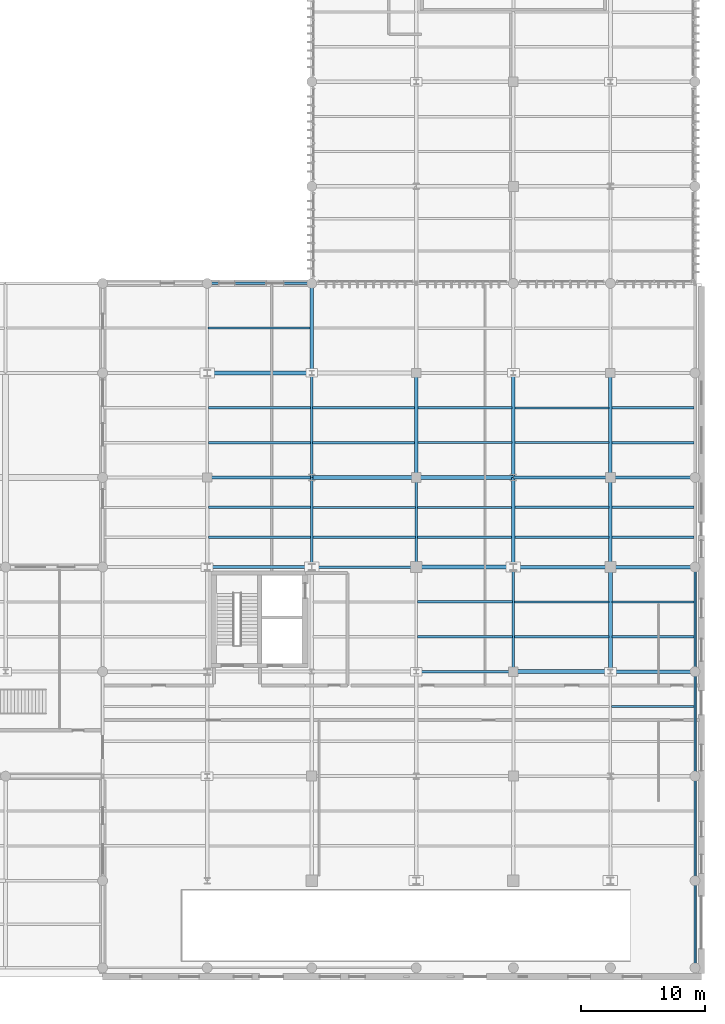
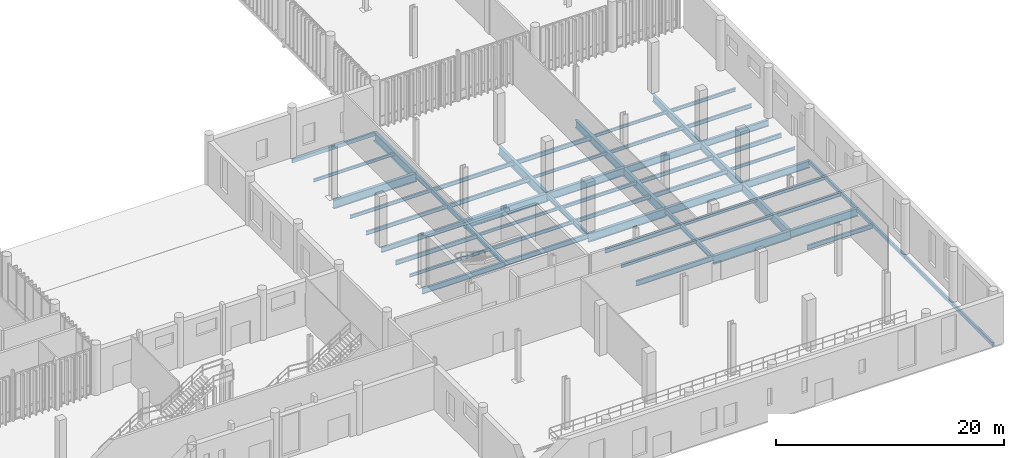
# One storey, part 55 of 112: 58 beams.
"""IFC4 building model written with IfcOpenShell, lengths in metres."""

import ifcopenshell
import ifcopenshell.guid

model = None  # the IFC model being written
_history = None  # IfcOwnerHistory: only IFC2X3 demands one
_inside = {}  # id of a spatial element -> (the spatial element, [elements in it])
_under = {}  # id of a project, library or spatial element -> (it, [spatial elements below it])
_declared = {}  # id of a project -> (the project, [libraries it declares])
_typed = {}  # id of a type object -> (the type object, [elements of that type])
_made_of = {}  # id of a material, layer set ... -> (it, [elements and type objects made of it])


def new_model(schema):
    """Start an empty IFC model of exactly this schema.

    Asked for "IFC4X3", IfcOpenShell would pick the latest addendum, in which some entities
    have other attributes; the version numbers below select the first issue.
    IFC2X3 requires an IfcOwnerHistory on every rooted entity: one is made here for all.
    """
    global model, _history
    if schema == "IFC4X3":
        model = ifcopenshell.file(schema_version=(4, 3, 0, 0))
    else:
        model = ifcopenshell.file(schema=schema)
    _inside.clear()
    _under.clear()
    _declared.clear()
    _typed.clear()
    _made_of.clear()
    _history = None
    if model.schema == "IFC2X3":
        org = make("IfcOrganization", Name="unknown")
        user = make(
            "IfcPersonAndOrganization",
            ThePerson=make("IfcPerson", FamilyName="unknown"),
            TheOrganization=org,
        )
        app = make(
            "IfcApplication",
            ApplicationDeveloper=org,
            Version="unknown",
            ApplicationFullName="unknown",
            ApplicationIdentifier="unknown",
        )
        _history = make(
            "IfcOwnerHistory",
            OwningUser=user,
            OwningApplication=app,
            ChangeAction="ADDED",
            CreationDate=0,
        )
    return model


def make(cls, **values):
    """One entity of the class cls with the attributes given. An attribute that is None is left unset."""
    return model.create_entity(
        cls, **{name: value for name, value in values.items() if value is not None}
    )


def rooted(cls, **values):
    """An entity with a GlobalId (a new one), such as an element, a storey or a relation."""
    return make(cls, GlobalId=ifcopenshell.guid.new(), OwnerHistory=_history, **values)


def si_unit(unit_type, name, prefix=None):
    """IfcSIUnit, for example si_unit("LENGTHUNIT", "METRE", prefix="MILLI")."""
    return make("IfcSIUnit", UnitType=unit_type, Prefix=prefix, Name=name)


def assignment(units):
    """IfcUnitAssignment: the units of a project."""
    return None if units is None else make("IfcUnitAssignment", Units=units)


def point(xyz):
    """IfcCartesianPoint."""
    return None if xyz is None else make("IfcCartesianPoint", Coordinates=xyz)


def direction(xyz):
    """IfcDirection."""
    return None if xyz is None else make("IfcDirection", DirectionRatios=xyz)


def frame(location, z_axis=None, x_axis=None):
    """IfcAxis2Placement3D, a coordinate frame: its origin and axes. An axis left out is left unset."""
    return make(
        "IfcAxis2Placement3D",
        Location=point(location),
        Axis=direction(z_axis),
        RefDirection=direction(x_axis),
    )


def frame_2d(location, x_axis=None):
    """IfcAxis2Placement2D, a coordinate frame in the plane: its origin and x axis."""
    return make(
        "IfcAxis2Placement2D", Location=point(location), RefDirection=direction(x_axis)
    )


def origin_with_axes():
    """The frame at (0, 0, 0) with the z axis (0, 0, 1) and the x axis (1, 0, 0) written out."""
    return frame((0.0, 0.0, 0.0), z_axis=(0.0, 0.0, 1.0), x_axis=(1.0, 0.0, 0.0))


def origin_2d_with_axis():
    """The frame at (0, 0) in the plane with the x axis (1, 0) written out."""
    return frame_2d((0.0, 0.0), x_axis=(1.0, 0.0))


def place(relative_to, where):
    """IfcLocalPlacement: puts the frame where relative to a parent placement (None: the world)."""
    return make(
        "IfcLocalPlacement", PlacementRelTo=relative_to, RelativePlacement=where
    )


def context(
    kind, dimensions, precision=None, world=None, true_north=None, identifier=None
):
    """IfcGeometricRepresentationContext, for example the 3D "Model" context."""
    return make(
        "IfcGeometricRepresentationContext",
        ContextIdentifier=identifier,
        ContextType=kind,
        CoordinateSpaceDimension=dimensions,
        Precision=precision,
        WorldCoordinateSystem=world,
        TrueNorth=true_north,
    )


def subcontext(parent, identifier, kind, view, scale=None):
    """IfcGeometricRepresentationSubContext, for example "Body" below "Model"."""
    return make(
        "IfcGeometricRepresentationSubContext",
        ContextIdentifier=identifier,
        ContextType=kind,
        ParentContext=parent,
        TargetScale=scale,
        TargetView=view,
    )


def project(units=None, contexts=None):
    """IfcProject with its units and contexts."""
    return rooted(
        "IfcProject",
        Name="project",
        RepresentationContexts=contexts,
        UnitsInContext=assignment(units),
    )


def spatial(cls, under=None, at=None, **own):
    """A site, building, storey or space (cls), placed at a placement, below another one or the project."""
    s = rooted(cls, ObjectPlacement=at, **own)
    if under is not None:
        _under.setdefault(under.id(), (under, []))[1].append(s)
    return s


def profile(cls, at=None, kind="AREA", **sizes):
    """A parametric profile (cls). Its sizes go by their IFC names, for example OverallWidth=200.0."""
    return make(cls, ProfileType=kind, Position=at, **sizes)


def hollow_rectangle(**sizes):
    """IfcRectangleHollowProfileDef."""
    return profile("IfcRectangleHollowProfileDef", **sizes)


def i_section(**sizes):
    """IfcIShapeProfileDef."""
    return profile("IfcIShapeProfileDef", **sizes)


def extrude(swept, where, along, depth):
    """IfcExtrudedAreaSolid: the profile swept, set in the frame where, extruded along a direction by depth."""
    return make(
        "IfcExtrudedAreaSolid",
        SweptArea=swept,
        Position=where,
        ExtrudedDirection=direction(along),
        Depth=depth,
    )


def shape(context_of_items, identifier, shape_type, items):
    """IfcShapeRepresentation: the items that make up one representation, for example the "Body"."""
    return make(
        "IfcShapeRepresentation",
        ContextOfItems=context_of_items,
        RepresentationIdentifier=identifier,
        RepresentationType=shape_type,
        Items=items,
    )


def material(Name=None, Category=None):
    """IfcMaterial."""
    return make("IfcMaterial", Name=Name, Category=Category)


def material_profile(
    of_material, cross_section, Name=None, Category=None, Priority=None
):
    """IfcMaterialProfile: a cross section and its material."""
    return make(
        "IfcMaterialProfile",
        Name=Name,
        Material=of_material,
        Profile=cross_section,
        Priority=Priority,
        Category=Category,
    )


def profile_set(profiles, Name=None, composite=None):
    """IfcMaterialProfileSet."""
    return make(
        "IfcMaterialProfileSet",
        Name=Name,
        MaterialProfiles=profiles,
        CompositeProfile=composite,
    )


def made_of(thing, what):
    """Note that an element or type object is made of a material, layer set ...; save() writes the relation."""
    if what is not None:
        _made_of.setdefault(what.id(), (what, []))[1].append(thing)
    return thing


def type_object(cls, material=None, **own):
    """A type object (cls), such as IfcWallType, which elements share."""
    return made_of(rooted(cls, **own), material)


def element(
    cls,
    number,
    at=None,
    inside=None,
    cuts=None,
    type_object=None,
    material=None,
    context=None,
    identifier="Body",
    shape_type=None,
    held_by="IfcProductDefinitionShape",
    body=None,
    shapes=None,
    **own,
):
    """One element of the class cls, such as IfcWall. Its Tag is "e" and its number.

    at: its placement. inside: the storey or other place that contains it. cuts: it is an
    opening in that element (IfcRelVoidsElement). A single representation is given by context,
    identifier, shape_type and body (its items); several are given by shapes. held_by: the class
    of the entity that holds the representations. save() writes the other relations.
    """
    e = rooted(cls, Tag="e%d" % number, ObjectPlacement=at, **own)
    if body is not None:
        shapes = [shape(context, identifier, shape_type, body)]
    if shapes is not None:
        e.Representation = make(held_by, Representations=shapes)
    if inside is not None:
        _inside.setdefault(inside.id(), (inside, []))[1].append(e)
    if cuts is not None:
        rooted(
            "IfcRelVoidsElement", RelatingBuildingElement=cuts, RelatedOpeningElement=e
        )
    if type_object is not None:
        _typed.setdefault(type_object.id(), (type_object, []))[1].append(e)
    return made_of(e, material)


def aggregate(whole, parts):
    """IfcRelAggregates: a whole, such as a stair, and the parts it consists of."""
    return rooted("IfcRelAggregates", RelatingObject=whole, RelatedObjects=parts)


def save(model, path):
    """Write the relations noted so far, then the file.

    IfcRelAggregates (storeys below a building ...), IfcRelContainedInSpatialStructure (elements
    in a storey), IfcRelDefinesByType, IfcRelAssociatesMaterial and IfcRelDeclares: one each for
    every whole, place, type object, material and project.
    """
    for whole, parts in _under.values():
        aggregate(whole, parts)
    for where, things in _inside.values():
        rooted(
            "IfcRelContainedInSpatialStructure",
            RelatedElements=things,
            RelatingStructure=where,
        )
    for kind, things in _typed.values():
        rooted("IfcRelDefinesByType", RelatedObjects=things, RelatingType=kind)
    for what, things in _made_of.values():
        rooted("IfcRelAssociatesMaterial", RelatedObjects=things, RelatingMaterial=what)
    for by, libraries in _declared.values():
        rooted("IfcRelDeclares", RelatingContext=by, RelatedDefinitions=libraries)
    model.write(path)


model = new_model("IFC4")

# Units and contexts
model_context = context("Model", 3, precision=1e-05, world=origin_with_axes(), true_north=direction((0.0, 1.0)))
body_context = subcontext(model_context, "Body", "Model", "MODEL_VIEW")
ifc_project = project(units=[si_unit("LENGTHUNIT", "METRE"), si_unit("AREAUNIT", "SQUARE_METRE"), si_unit("VOLUMEUNIT", "CUBIC_METRE"), si_unit("PLANEANGLEUNIT", "RADIAN"), si_unit("MASSUNIT", "GRAM", prefix="KILO"), si_unit("THERMODYNAMICTEMPERATUREUNIT", "KELVIN")], contexts=[model_context])

# Site, building, storey
site_placement = place(None, origin_with_axes())
site = spatial("IfcSite", under=ifc_project, at=site_placement, CompositionType="ELEMENT")
building_placement = place(site_placement, origin_with_axes())
building = spatial("IfcBuilding", under=site, at=building_placement, Name="Montbau Bow Law Courts", CompositionType="ELEMENT")
storey_placement = place(building_placement, origin_with_axes())
storey = spatial("IfcBuildingStorey", under=building, at=storey_placement, Name="L00", CompositionType="ELEMENT", Elevation=0.0)

# Beams
ifc_material_1 = material(Name="Steel CSA G40.21 Grade 350W (350 MPa)", Category="steel")
ifc_material_profile_1 = material_profile(ifc_material_1, i_section(OverallWidth=0.306, OverallDepth=0.919, WebThickness=0.0173, FlangeThickness=0.0279, at=origin_2d_with_axis()), Name="W920X253", Category="Main", Priority=0)
ifc_profile_set_1 = profile_set([ifc_material_profile_1], Name="Steel CSA G40.21 Grade 350W (350 MPa)")
beam_type_1 = type_object("IfcBeamType", Name="B-FLR-01", PredefinedType="BEAM", material=ifc_profile_set_1)
for number, where, z_axis, x_axis, name in (
    (1, (154.8, 30.6, -0.8), (1.0, 0.0, 0.0), (0.0, 1.0, 0.0), "BM-L00-S0340:bm2_0343"),
    (2, (147.0, 39.0, -0.8), (1.0, 0.0, 0.0), (0.0, 1.0, 0.0), "BM-L00-S0345:bm2_0348"),
):
    element("IfcBeam", number, at=place(None, frame(where, z_axis=z_axis, x_axis=x_axis)), inside=storey, type_object=beam_type_1, Name=name, PredefinedType="BEAM", context=body_context, shape_type="SweptSolid", body=[
        extrude(i_section(OverallWidth=0.306, OverallDepth=0.919, WebThickness=0.0173, FlangeThickness=0.0279, at=origin_2d_with_axis()), origin_with_axes(), (0.0, 0.0, 1.0), 7.8),
    ])
for number, where, z_axis, x_axis, name in (
    (3, (138.6, 46.2, -0.8), (1.0, 0.0, 0.0), (0.0, 1.0, 0.0), "BM-L00-S0350:bm2_0353"),
    (4, (130.2, 54.6, -0.8), (1.0, 0.0, 0.0), (0.0, 1.0, 0.0), "BM-L00-S0355:bm2_0358"),
):
    element("IfcBeam", number, at=place(None, frame(where, z_axis=z_axis, x_axis=x_axis)), inside=storey, type_object=beam_type_1, Name=name, PredefinedType="BEAM", context=body_context, shape_type="SweptSolid", body=[
        extrude(i_section(OverallWidth=0.306, OverallDepth=0.919, WebThickness=0.0173, FlangeThickness=0.0279, at=origin_2d_with_axis()), origin_with_axes(), (0.0, 0.0, 1.0), 8.4),
    ])
beam_1_placement = place(None, frame((138.6, 54.6, -0.8), z_axis=(0.0, 1.0, 0.0), x_axis=(-1.0, 0.0, 0.0)))
element("IfcBeam", 5, at=beam_1_placement, inside=storey, type_object=beam_type_1, Name="BM-L00-S0377:bm2_0380", PredefinedType="BEAM", context=body_context, shape_type="SweptSolid", body=[
    extrude(i_section(OverallWidth=0.306, OverallDepth=0.919, WebThickness=0.0173, FlangeThickness=0.0279, at=origin_2d_with_axis()), origin_with_axes(), (0.0, 0.0, 1.0), 7.2),
])
beam_2_placement = place(None, frame((147.0, 46.2, -0.8), z_axis=(0.0, 1.0, 0.0), x_axis=(-1.0, 0.0, 0.0)))
element("IfcBeam", 6, at=beam_2_placement, inside=storey, type_object=beam_type_1, Name="BM-L00-S0382:bm2_0385", PredefinedType="BEAM", context=body_context, shape_type="SweptSolid", body=[
    extrude(i_section(OverallWidth=0.306, OverallDepth=0.919, WebThickness=0.0173, FlangeThickness=0.0279, at=origin_2d_with_axis()), origin_with_axes(), (0.0, 0.0, 1.0), 8.4),
])
beam_3_placement = place(None, frame((154.8, 39.0, -0.8), z_axis=(0.0, 1.0, 0.0), x_axis=(-1.0, 0.0, 0.0)))
element("IfcBeam", 7, at=beam_3_placement, inside=storey, type_object=beam_type_1, Name="BM-L00-S0387:bm2_0390", PredefinedType="BEAM", context=body_context, shape_type="SweptSolid", body=[
    extrude(i_section(OverallWidth=0.306, OverallDepth=0.919, WebThickness=0.0173, FlangeThickness=0.0279, at=origin_2d_with_axis()), origin_with_axes(), (0.0, 0.0, 1.0), 7.2),
])
beam_4_placement = place(None, frame((162.6, 30.6, -0.8), z_axis=(0.0, 1.0, 0.0), x_axis=(-1.0, 0.0, 0.0)))
element("IfcBeam", 8, at=beam_4_placement, inside=storey, type_object=beam_type_1, Name="BM-L00-S0392:bm2_0395", PredefinedType="BEAM", context=body_context, shape_type="SweptSolid", body=[
    extrude(i_section(OverallWidth=0.306, OverallDepth=0.919, WebThickness=0.0173, FlangeThickness=0.0279, at=origin_2d_with_axis()), origin_with_axes(), (0.0, 0.0, 1.0), 8.4),
])
ifc_material_profile_2 = material_profile(ifc_material_1, i_section(OverallWidth=0.293, OverallDepth=0.846, WebThickness=0.0154, FlangeThickness=0.0244, at=origin_2d_with_axis()), Name="W840X210", Category="Main", Priority=0)
ifc_profile_set_2 = profile_set([ifc_material_profile_2], Name="Steel CSA G40.21 Grade 350W (350 MPa)")
beam_type_2 = type_object("IfcBeamType", Name="B-FLR-02", PredefinedType="BEAM", material=ifc_profile_set_2)
beam_5_placement = place(None, frame((162.6, 30.6, -0.763), z_axis=(1.0, 0.0, 0.0), x_axis=(0.0, 1.0, 0.0)))
element("IfcBeam", 9, at=beam_5_placement, inside=storey, type_object=beam_type_2, Name="BM-L00-S0341:bm2_0344", PredefinedType="BEAM", context=body_context, shape_type="SweptSolid", body=[
    extrude(i_section(OverallWidth=0.293, OverallDepth=0.846, WebThickness=0.0154, FlangeThickness=0.0244, at=origin_2d_with_axis()), origin_with_axes(), (0.0, 0.0, 1.0), 6.8),
])
for number, where, z_axis, x_axis, name in (
    (10, (154.8, 39.0, -0.763), (1.0, 0.0, 0.0), (0.0, 1.0, 0.0), "BM-L00-S0346:bm2_0349"),
    (11, (147.0, 46.2, -0.763), (1.0, 0.0, 0.0), (0.0, 1.0, 0.0), "BM-L00-S0351:bm2_0354"),
):
    element("IfcBeam", number, at=place(None, frame(where, z_axis=z_axis, x_axis=x_axis)), inside=storey, type_object=beam_type_2, Name=name, PredefinedType="BEAM", context=body_context, shape_type="SweptSolid", body=[
        extrude(i_section(OverallWidth=0.293, OverallDepth=0.846, WebThickness=0.0154, FlangeThickness=0.0244, at=origin_2d_with_axis()), origin_with_axes(), (0.0, 0.0, 1.0), 7.8),
    ])
beam_6_placement = place(None, frame((154.8, 46.2, -0.763), z_axis=(0.0, 1.0, 0.0), x_axis=(-1.0, 0.0, 0.0)))
element("IfcBeam", 12, at=beam_6_placement, inside=storey, type_object=beam_type_2, Name="BM-L00-S0388:bm2_0391", PredefinedType="BEAM", context=body_context, shape_type="SweptSolid", body=[
    extrude(i_section(OverallWidth=0.293, OverallDepth=0.846, WebThickness=0.0154, FlangeThickness=0.0244, at=origin_2d_with_axis()), origin_with_axes(), (0.0, 0.0, 1.0), 8.4),
])
beam_7_placement = place(None, frame((162.6, 39.0, -0.763), z_axis=(0.0, 1.0, 0.0), x_axis=(-1.0, 0.0, 0.0)))
element("IfcBeam", 13, at=beam_7_placement, inside=storey, type_object=beam_type_2, Name="BM-L00-S0393:bm2_0396", PredefinedType="BEAM", context=body_context, shape_type="SweptSolid", body=[
    extrude(i_section(OverallWidth=0.293, OverallDepth=0.846, WebThickness=0.0154, FlangeThickness=0.0244, at=origin_2d_with_axis()), origin_with_axes(), (0.0, 0.0, 1.0), 7.2),
])
ifc_material_profile_3 = material_profile(ifc_material_1, i_section(OverallWidth=0.267, OverallDepth=0.766, WebThickness=0.0149, FlangeThickness=0.0236, at=origin_2d_with_axis()), Name="W760X185", Category="Main", Priority=0)
ifc_profile_set_3 = profile_set([ifc_material_profile_3], Name="Steel CSA G40.21 Grade 350W (350 MPa)")
beam_type_3 = type_object("IfcBeamType", Name="B-FLR-03", PredefinedType="BEAM", material=ifc_profile_set_3)
beam_8_placement = place(None, frame((162.6, 39.0, -0.723), z_axis=(1.0, 0.0, 0.0), x_axis=(0.0, 1.0, 0.0)))
element("IfcBeam", 14, at=beam_8_placement, inside=storey, type_object=beam_type_3, Name="BM-L00-S0347:bm2_0350", PredefinedType="BEAM", context=body_context, shape_type="SweptSolid", body=[
    extrude(i_section(OverallWidth=0.267, OverallDepth=0.766, WebThickness=0.0149, FlangeThickness=0.0236, at=origin_2d_with_axis()), origin_with_axes(), (0.0, 0.0, 1.0), 6.8),
])
beam_9_placement = place(None, frame((154.8, 46.2, -0.723), z_axis=(1.0, 0.0, 0.0), x_axis=(0.0, 1.0, 0.0)))
element("IfcBeam", 15, at=beam_9_placement, inside=storey, type_object=beam_type_3, Name="BM-L00-S0352:bm2_0355", PredefinedType="BEAM", context=body_context, shape_type="SweptSolid", body=[
    extrude(i_section(OverallWidth=0.267, OverallDepth=0.766, WebThickness=0.0149, FlangeThickness=0.0236, at=origin_2d_with_axis()), origin_with_axes(), (0.0, 0.0, 1.0), 7.8),
])
beam_10_placement = place(None, frame((162.6, 46.2, -0.723), z_axis=(0.0, 1.0, 0.0), x_axis=(-1.0, 0.0, 0.0)))
element("IfcBeam", 16, at=beam_10_placement, inside=storey, type_object=beam_type_3, Name="BM-L00-S0394:bm2_0397", PredefinedType="BEAM", context=body_context, shape_type="SweptSolid", body=[
    extrude(i_section(OverallWidth=0.267, OverallDepth=0.766, WebThickness=0.0149, FlangeThickness=0.0236, at=origin_2d_with_axis()), origin_with_axes(), (0.0, 0.0, 1.0), 8.4),
])
ifc_material_profile_4 = material_profile(ifc_material_1, i_section(OverallWidth=0.254, OverallDepth=0.688, WebThickness=0.0131, FlangeThickness=0.0211, at=origin_2d_with_axis()), Name="W690X152", Category="Main", Priority=0)
ifc_profile_set_4 = profile_set([ifc_material_profile_4], Name="Steel CSA G40.21 Grade 350W (350 MPa)")
beam_type_4 = type_object("IfcBeamType", Name="B-FLR-04", PredefinedType="BEAM", material=ifc_profile_set_4)
beam_11_placement = place(None, frame((162.6, 46.2, -0.684), z_axis=(1.0, 0.0, 0.0), x_axis=(0.0, 1.0, 0.0)))
element("IfcBeam", 17, at=beam_11_placement, inside=storey, type_object=beam_type_4, Name="BM-L00-S0353:bm2_0356", PredefinedType="BEAM", context=body_context, shape_type="SweptSolid", body=[
    extrude(i_section(OverallWidth=0.254, OverallDepth=0.688, WebThickness=0.0131, FlangeThickness=0.0211, at=origin_2d_with_axis()), origin_with_axes(), (0.0, 0.0, 1.0), 6.8),
])
ifc_material_profile_5 = material_profile(ifc_material_1, i_section(OverallWidth=0.229, OverallDepth=0.612, WebThickness=0.0119, FlangeThickness=0.0196, at=origin_2d_with_axis()), Name="W610X125", Category="Main", Priority=0)
ifc_profile_set_5 = profile_set([ifc_material_profile_5], Name="Steel CSA G40.21 Grade 350W (350 MPa)")
beam_type_5 = type_object("IfcBeamType", Name="B-FLR-05", PredefinedType="BEAM", material=ifc_profile_set_5)
beam_12_placement = place(None, frame((130.2, 39.0, -0.646), z_axis=(1.0, 0.0, 0.0), x_axis=(0.0, 1.0, 0.0)))
element("IfcBeam", 18, at=beam_12_placement, inside=storey, type_object=beam_type_5, Name="BM-L00-S0343:bm2_0346", PredefinedType="BEAM", context=body_context, shape_type="SweptSolid", body=[
    extrude(i_section(OverallWidth=0.229, OverallDepth=0.612, WebThickness=0.0119, FlangeThickness=0.0196, at=origin_2d_with_axis()), origin_with_axes(), (0.0, 0.0, 1.0), 8.4),
])
beam_13_placement = place(None, frame((138.6, 39.0, -0.646), z_axis=(0.0, 1.0, 0.0), x_axis=(-1.0, 0.0, 0.0)))
element("IfcBeam", 19, at=beam_13_placement, inside=storey, type_object=beam_type_5, Name="BM-L00-S0375:bm2_0378", PredefinedType="BEAM", context=body_context, shape_type="SweptSolid", body=[
    extrude(i_section(OverallWidth=0.229, OverallDepth=0.612, WebThickness=0.0119, FlangeThickness=0.0196, at=origin_2d_with_axis()), origin_with_axes(), (0.0, 0.0, 1.0), 7.2),
])
ifc_material_profile_6 = material_profile(ifc_material_1, i_section(OverallWidth=0.21, OverallDepth=0.537, WebThickness=0.0109, FlangeThickness=0.0174, at=origin_2d_with_axis()), Name="W530X101", Category="Main", Priority=0)
ifc_profile_set_6 = profile_set([ifc_material_profile_6], Name="Steel CSA G40.21 Grade 350W (350 MPa)")
beam_type_6 = type_object("IfcBeamType", Name="B-FLR-06", PredefinedType="BEAM", material=ifc_profile_set_6)
beam_14_placement = place(None, frame((147.0, 30.6, -0.609), z_axis=(1.0, 0.0, 0.0), x_axis=(0.0, 1.0, 0.0)))
element("IfcBeam", 20, at=beam_14_placement, inside=storey, type_object=beam_type_6, Name="BM-L00-S0339:bm2_0342", PredefinedType="BEAM", context=body_context, shape_type="SweptSolid", body=[
    extrude(i_section(OverallWidth=0.21, OverallDepth=0.537, WebThickness=0.0109, FlangeThickness=0.0174, at=origin_2d_with_axis()), origin_with_axes(), (0.0, 0.0, 1.0), 7.8),
])
for number, where, z_axis, x_axis, name in (
    (21, (138.6, 39.0, -0.609), (1.0, 0.0, 0.0), (0.0, 1.0, 0.0), "BM-L00-S0344:bm2_0347"),
    (22, (130.2, 46.2, -0.609), (1.0, 0.0, 0.0), (0.0, 1.0, 0.0), "BM-L00-S0349:bm2_0352"),
    (23, (138.6, 46.2, -0.609), (0.0, 1.0, 0.0), (-1.0, 0.0, 0.0), "BM-L00-S0376:bm2_0379"),
):
    element("IfcBeam", number, at=place(None, frame(where, z_axis=z_axis, x_axis=x_axis)), inside=storey, type_object=beam_type_6, Name=name, PredefinedType="BEAM", context=body_context, shape_type="SweptSolid", body=[
        extrude(i_section(OverallWidth=0.21, OverallDepth=0.537, WebThickness=0.0109, FlangeThickness=0.0174, at=origin_2d_with_axis()), origin_with_axes(), (0.0, 0.0, 1.0), 8.4),
    ])
beam_15_placement = place(None, frame((147.0, 39.0, -0.609), z_axis=(0.0, 1.0, 0.0), x_axis=(-1.0, 0.0, 0.0)))
element("IfcBeam", 24, at=beam_15_placement, inside=storey, type_object=beam_type_6, Name="BM-L00-S0381:bm2_0384", PredefinedType="BEAM", context=body_context, shape_type="SweptSolid", body=[
    extrude(i_section(OverallWidth=0.21, OverallDepth=0.537, WebThickness=0.0109, FlangeThickness=0.0174, at=origin_2d_with_axis()), origin_with_axes(), (0.0, 0.0, 1.0), 7.2),
])
beam_16_placement = place(None, frame((154.8, 30.6, -0.609), z_axis=(0.0, 1.0, 0.0), x_axis=(-1.0, 0.0, 0.0)))
element("IfcBeam", 25, at=beam_16_placement, inside=storey, type_object=beam_type_6, Name="BM-L00-S0386:bm2_0389", PredefinedType="BEAM", context=body_context, shape_type="SweptSolid", body=[
    extrude(i_section(OverallWidth=0.21, OverallDepth=0.537, WebThickness=0.0109, FlangeThickness=0.0174, at=origin_2d_with_axis()), origin_with_axes(), (0.0, 0.0, 1.0), 8.4),
])
ifc_material_profile_7 = material_profile(ifc_material_1, i_section(OverallWidth=0.191, OverallDepth=0.46, WebThickness=0.0099, FlangeThickness=0.016, at=origin_2d_with_axis()), Name="W460X82", Category="Main", Priority=0)
ifc_profile_set_7 = profile_set([ifc_material_profile_7], Name="Steel CSA G40.21 Grade 350W (350 MPa)")
beam_type_7 = type_object("IfcBeamType", Name="B-JST-01", PredefinedType="JOIST", material=ifc_profile_set_7)
beam_17_placement = place(None, frame((130.303, 43.8, -0.57), z_axis=(1.0, 0.0, 0.0), x_axis=(0.0, 1.0, 0.0)))
element("IfcBeam", 26, at=beam_17_placement, inside=storey, type_object=beam_type_7, Name="JST-L00-S0132:jst2_0132", PredefinedType="JOIST", context=body_context, shape_type="SweptSolid", body=[
    extrude(i_section(OverallWidth=0.191, OverallDepth=0.46, WebThickness=0.0099, FlangeThickness=0.016, at=origin_2d_with_axis()), origin_with_axes(), (0.0, 0.0, 1.0), 8.207),
])
beam_18_placement = place(None, frame((138.681, 49.0, -0.57), z_axis=(1.0, 0.0, 0.0), x_axis=(0.0, 1.0, 0.0)))
element("IfcBeam", 27, at=beam_18_placement, inside=storey, type_object=beam_type_7, Name="JST-L00-S0144:jst2_0144", PredefinedType="JOIST", context=body_context, shape_type="SweptSolid", body=[
    extrude(i_section(OverallWidth=0.191, OverallDepth=0.46, WebThickness=0.0099, FlangeThickness=0.016, at=origin_2d_with_axis()), origin_with_axes(), (0.0, 0.0, 1.0), 8.19),
])
beam_19_placement = place(None, frame((147.09, 36.2, -0.57), z_axis=(1.0, 0.0, 0.0), x_axis=(0.0, 1.0, 0.0)))
element("IfcBeam", 28, at=beam_19_placement, inside=storey, type_object=beam_type_7, Name="JST-L00-S0152:jst2_0152", PredefinedType="JOIST", context=body_context, shape_type="SweptSolid", body=[
    extrude(i_section(OverallWidth=0.191, OverallDepth=0.46, WebThickness=0.0099, FlangeThickness=0.016, at=origin_2d_with_axis()), origin_with_axes(), (0.0, 0.0, 1.0), 7.629),
])
beam_20_placement = place(None, frame((147.129, 51.8, -0.57), z_axis=(1.0, 0.0, 0.0), x_axis=(0.0, 1.0, 0.0)))
element("IfcBeam", 29, at=beam_20_placement, inside=storey, type_object=beam_type_7, Name="JST-L00-S0156:jst2_0156", PredefinedType="JOIST", context=body_context, shape_type="SweptSolid", body=[
    extrude(i_section(OverallWidth=0.191, OverallDepth=0.46, WebThickness=0.0099, FlangeThickness=0.016, at=origin_2d_with_axis()), origin_with_axes(), (0.0, 0.0, 1.0), 7.549),
])
beam_21_placement = place(None, frame((154.929, 41.4, -0.57), z_axis=(1.0, 0.0, 0.0), x_axis=(0.0, 1.0, 0.0)))
element("IfcBeam", 30, at=beam_21_placement, inside=storey, type_object=beam_type_7, Name="JST-L00-S0164:jst2_0164", PredefinedType="JOIST", context=body_context, shape_type="SweptSolid", body=[
    extrude(i_section(OverallWidth=0.191, OverallDepth=0.46, WebThickness=0.0099, FlangeThickness=0.016, at=origin_2d_with_axis()), origin_with_axes(), (0.0, 0.0, 1.0), 7.548),
])
beam_22_placement = place(None, frame((162.681, 27.8, -0.57), z_axis=(1.0, 0.0, 0.0), x_axis=(0.0, 1.0, 0.0)))
element("IfcBeam", 31, at=beam_22_placement, inside=storey, type_object=beam_type_7, Name="JST-L00-S0172:jst2_0172", PredefinedType="JOIST", context=body_context, shape_type="SweptSolid", body=[
    extrude(i_section(OverallWidth=0.191, OverallDepth=0.46, WebThickness=0.0099, FlangeThickness=0.016, at=origin_2d_with_axis()), origin_with_axes(), (0.0, 0.0, 1.0), 6.639),
])
beam_23_placement = place(None, frame((162.722, 43.8, -0.57), z_axis=(1.0, 0.0, 0.0), x_axis=(0.0, 1.0, 0.0)))
element("IfcBeam", 32, at=beam_23_placement, inside=storey, type_object=beam_type_7, Name="JST-L00-S0176:jst2_0176", PredefinedType="JOIST", context=body_context, shape_type="SweptSolid", body=[
    extrude(i_section(OverallWidth=0.191, OverallDepth=0.46, WebThickness=0.0099, FlangeThickness=0.016, at=origin_2d_with_axis()), origin_with_axes(), (0.0, 0.0, 1.0), 6.598),
])
ifc_material_profile_8 = material_profile(ifc_material_1, i_section(OverallWidth=0.179, OverallDepth=0.41, WebThickness=0.0088, FlangeThickness=0.0144, at=origin_2d_with_axis()), Name="W410X67", Category="Main", Priority=0)
ifc_profile_set_8 = profile_set([ifc_material_profile_8], Name="Steel CSA G40.21 Grade 350W (350 MPa)")
beam_type_8 = type_object("IfcBeamType", Name="B-JST-02", PredefinedType="JOIST", material=ifc_profile_set_8)
beam_24_placement = place(None, frame((130.29, 49.0, -0.545), z_axis=(1.0, 0.0, 0.0), x_axis=(0.0, 1.0, 0.0)))
element("IfcBeam", 33, at=beam_24_placement, inside=storey, type_object=beam_type_8, Name="JST-L00-S0133:jst2_0133", PredefinedType="JOIST", context=body_context, shape_type="SweptSolid", body=[
    extrude(i_section(OverallWidth=0.179, OverallDepth=0.41, WebThickness=0.0088, FlangeThickness=0.0144, at=origin_2d_with_axis()), origin_with_axes(), (0.0, 0.0, 1.0), 8.229),
])
beam_25_placement = place(None, frame((138.681, 51.8, -0.545), z_axis=(1.0, 0.0, 0.0), x_axis=(0.0, 1.0, 0.0)))
element("IfcBeam", 34, at=beam_25_placement, inside=storey, type_object=beam_type_8, Name="JST-L00-S0145:jst2_0145", PredefinedType="JOIST", context=body_context, shape_type="SweptSolid", body=[
    extrude(i_section(OverallWidth=0.179, OverallDepth=0.41, WebThickness=0.0088, FlangeThickness=0.0144, at=origin_2d_with_axis()), origin_with_axes(), (0.0, 0.0, 1.0), 8.19),
])
beam_26_placement = place(None, frame((147.081, 41.4, -0.545), z_axis=(1.0, 0.0, 0.0), x_axis=(0.0, 1.0, 0.0)))
element("IfcBeam", 35, at=beam_26_placement, inside=storey, type_object=beam_type_8, Name="JST-L00-S0153:jst2_0153", PredefinedType="JOIST", context=body_context, shape_type="SweptSolid", body=[
    extrude(i_section(OverallWidth=0.179, OverallDepth=0.41, WebThickness=0.0088, FlangeThickness=0.0144, at=origin_2d_with_axis()), origin_with_axes(), (0.0, 0.0, 1.0), 7.59),
])
beam_27_placement = place(None, frame((154.929, 43.8, -0.545), z_axis=(1.0, 0.0, 0.0), x_axis=(0.0, 1.0, 0.0)))
element("IfcBeam", 36, at=beam_27_placement, inside=storey, type_object=beam_type_8, Name="JST-L00-S0165:jst2_0165", PredefinedType="JOIST", context=body_context, shape_type="SweptSolid", body=[
    extrude(i_section(OverallWidth=0.179, OverallDepth=0.41, WebThickness=0.0088, FlangeThickness=0.0144, at=origin_2d_with_axis()), origin_with_axes(), (0.0, 0.0, 1.0), 7.548),
])
beam_28_placement = place(None, frame((162.729, 33.4, -0.545), z_axis=(1.0, 0.0, 0.0), x_axis=(0.0, 1.0, 0.0)))
element("IfcBeam", 37, at=beam_28_placement, inside=storey, type_object=beam_type_8, Name="JST-L00-S0173:jst2_0173", PredefinedType="JOIST", context=body_context, shape_type="SweptSolid", body=[
    extrude(i_section(OverallWidth=0.179, OverallDepth=0.41, WebThickness=0.0088, FlangeThickness=0.0144, at=origin_2d_with_axis()), origin_with_axes(), (0.0, 0.0, 1.0), 6.591),
])
beam_29_placement = place(None, frame((162.709, 49.0, -0.545), z_axis=(1.0, 0.0, 0.0), x_axis=(0.0, 1.0, 0.0)))
element("IfcBeam", 38, at=beam_29_placement, inside=storey, type_object=beam_type_8, Name="JST-L00-S0177:jst2_0177", PredefinedType="JOIST", context=body_context, shape_type="SweptSolid", body=[
    extrude(i_section(OverallWidth=0.179, OverallDepth=0.41, WebThickness=0.0088, FlangeThickness=0.0144, at=origin_2d_with_axis()), origin_with_axes(), (0.0, 0.0, 1.0), 6.611),
])
ifc_material_profile_9 = material_profile(ifc_material_1, i_section(OverallWidth=0.172, OverallDepth=0.358, WebThickness=0.0079, FlangeThickness=0.0131, at=origin_2d_with_axis()), Name="W360X57", Category="Main", Priority=0)
ifc_profile_set_9 = profile_set([ifc_material_profile_9], Name="Steel CSA G40.21 Grade 350W (350 MPa)")
beam_type_9 = type_object("IfcBeamType", Name="B-JST-03", PredefinedType="JOIST", material=ifc_profile_set_9)
for number, where, z_axis, x_axis, name in (
    (39, (130.29, 51.8, -0.519), (1.0, 0.0, 0.0), (0.0, 1.0, 0.0), "JST-L00-S0134:jst2_0134"),
    (40, (138.69, 41.4, -0.519), (1.0, 0.0, 0.0), (0.0, 1.0, 0.0), "JST-L00-S0142:jst2_0142"),
):
    element("IfcBeam", number, at=place(None, frame(where, z_axis=z_axis, x_axis=x_axis)), inside=storey, type_object=beam_type_9, Name=name, PredefinedType="JOIST", context=body_context, shape_type="SweptSolid", body=[
        extrude(i_section(OverallWidth=0.172, OverallDepth=0.358, WebThickness=0.0079, FlangeThickness=0.0131, at=origin_2d_with_axis()), origin_with_axes(), (0.0, 0.0, 1.0), 8.229),
    ])
for number, where, z_axis, x_axis, name in (
    (41, (147.081, 43.8, -0.519), (1.0, 0.0, 0.0), (0.0, 1.0, 0.0), "JST-L00-S0154:jst2_0154"),
    (42, (154.881, 33.4, -0.519), (1.0, 0.0, 0.0), (0.0, 1.0, 0.0), "JST-L00-S0162:jst2_0162"),
):
    element("IfcBeam", number, at=place(None, frame(where, z_axis=z_axis, x_axis=x_axis)), inside=storey, type_object=beam_type_9, Name=name, PredefinedType="JOIST", context=body_context, shape_type="SweptSolid", body=[
        extrude(i_section(OverallWidth=0.172, OverallDepth=0.358, WebThickness=0.0079, FlangeThickness=0.0131, at=origin_2d_with_axis()), origin_with_axes(), (0.0, 0.0, 1.0), 7.59),
    ])
beam_30_placement = place(None, frame((154.923, 49.0, -0.519), z_axis=(1.0, 0.0, 0.0), x_axis=(0.0, 1.0, 0.0)))
element("IfcBeam", 43, at=beam_30_placement, inside=storey, type_object=beam_type_9, Name="JST-L00-S0166:jst2_0166", PredefinedType="JOIST", context=body_context, shape_type="SweptSolid", body=[
    extrude(i_section(OverallWidth=0.172, OverallDepth=0.358, WebThickness=0.0079, FlangeThickness=0.0131, at=origin_2d_with_axis()), origin_with_axes(), (0.0, 0.0, 1.0), 7.567),
])
beam_31_placement = place(None, frame((162.729, 36.2, -0.519), z_axis=(1.0, 0.0, 0.0), x_axis=(0.0, 1.0, 0.0)))
element("IfcBeam", 44, at=beam_31_placement, inside=storey, type_object=beam_type_9, Name="JST-L00-S0174:jst2_0174", PredefinedType="JOIST", context=body_context, shape_type="SweptSolid", body=[
    extrude(i_section(OverallWidth=0.172, OverallDepth=0.358, WebThickness=0.0079, FlangeThickness=0.0131, at=origin_2d_with_axis()), origin_with_axes(), (0.0, 0.0, 1.0), 6.591),
])
beam_32_placement = place(None, frame((162.709, 51.8, -0.519), z_axis=(1.0, 0.0, 0.0), x_axis=(0.0, 1.0, 0.0)))
element("IfcBeam", 45, at=beam_32_placement, inside=storey, type_object=beam_type_9, Name="JST-L00-S0178:jst2_0178", PredefinedType="JOIST", context=body_context, shape_type="SweptSolid", body=[
    extrude(i_section(OverallWidth=0.172, OverallDepth=0.358, WebThickness=0.0079, FlangeThickness=0.0131, at=origin_2d_with_axis()), origin_with_axes(), (0.0, 0.0, 1.0), 6.611),
])
ifc_material_profile_10 = material_profile(ifc_material_1, i_section(OverallWidth=0.166, OverallDepth=0.313, WebThickness=0.0066, FlangeThickness=0.0112, at=origin_2d_with_axis()), Name="W310X45", Category="Main", Priority=0)
ifc_profile_set_10 = profile_set([ifc_material_profile_10], Name="Steel CSA G40.21 Grade 350W (350 MPa)")
beam_type_10 = type_object("IfcBeamType", Name="B-JST-04", PredefinedType="JOIST", material=ifc_profile_set_10)
beam_33_placement = place(None, frame((130.303, 41.4, -0.497), z_axis=(1.0, 0.0, 0.0), x_axis=(0.0, 1.0, 0.0)))
element("IfcBeam", 46, at=beam_33_placement, inside=storey, type_object=beam_type_10, Name="JST-L00-S0131:jst2_0131", PredefinedType="JOIST", context=body_context, shape_type="SweptSolid", body=[
    extrude(i_section(OverallWidth=0.166, OverallDepth=0.313, WebThickness=0.0066, FlangeThickness=0.0112, at=origin_2d_with_axis()), origin_with_axes(), (0.0, 0.0, 1.0), 8.207),
])
beam_34_placement = place(None, frame((130.281, 58.2, -0.497), z_axis=(1.0, 0.0, 0.0), x_axis=(0.0, 1.0, 0.0)))
element("IfcBeam", 47, at=beam_34_placement, inside=storey, type_object=beam_type_10, Name="JST-L00-S0135:jst2_0135", PredefinedType="JOIST", context=body_context, shape_type="SweptSolid", body=[
    extrude(i_section(OverallWidth=0.166, OverallDepth=0.313, WebThickness=0.0066, FlangeThickness=0.0112, at=origin_2d_with_axis()), origin_with_axes(), (0.0, 0.0, 1.0), 8.19),
])
beam_35_placement = place(None, frame((138.69, 43.8, -0.497), z_axis=(1.0, 0.0, 0.0), x_axis=(0.0, 1.0, 0.0)))
element("IfcBeam", 48, at=beam_35_placement, inside=storey, type_object=beam_type_10, Name="JST-L00-S0143:jst2_0143", PredefinedType="JOIST", context=body_context, shape_type="SweptSolid", body=[
    extrude(i_section(OverallWidth=0.166, OverallDepth=0.313, WebThickness=0.0066, FlangeThickness=0.0112, at=origin_2d_with_axis()), origin_with_axes(), (0.0, 0.0, 1.0), 8.229),
])
beam_36_placement = place(None, frame((147.09, 33.4, -0.497), z_axis=(1.0, 0.0, 0.0), x_axis=(0.0, 1.0, 0.0)))
element("IfcBeam", 49, at=beam_36_placement, inside=storey, type_object=beam_type_10, Name="JST-L00-S0151:jst2_0151", PredefinedType="JOIST", context=body_context, shape_type="SweptSolid", body=[
    extrude(i_section(OverallWidth=0.166, OverallDepth=0.313, WebThickness=0.0066, FlangeThickness=0.0112, at=origin_2d_with_axis()), origin_with_axes(), (0.0, 0.0, 1.0), 7.629),
])
beam_37_placement = place(None, frame((147.129, 49.0, -0.497), z_axis=(1.0, 0.0, 0.0), x_axis=(0.0, 1.0, 0.0)))
element("IfcBeam", 50, at=beam_37_placement, inside=storey, type_object=beam_type_10, Name="JST-L00-S0155:jst2_0155", PredefinedType="JOIST", context=body_context, shape_type="SweptSolid", body=[
    extrude(i_section(OverallWidth=0.166, OverallDepth=0.313, WebThickness=0.0066, FlangeThickness=0.0112, at=origin_2d_with_axis()), origin_with_axes(), (0.0, 0.0, 1.0), 7.549),
])
beam_38_placement = place(None, frame((154.881, 36.2, -0.497), z_axis=(1.0, 0.0, 0.0), x_axis=(0.0, 1.0, 0.0)))
element("IfcBeam", 51, at=beam_38_placement, inside=storey, type_object=beam_type_10, Name="JST-L00-S0163:jst2_0163", PredefinedType="JOIST", context=body_context, shape_type="SweptSolid", body=[
    extrude(i_section(OverallWidth=0.166, OverallDepth=0.313, WebThickness=0.0066, FlangeThickness=0.0112, at=origin_2d_with_axis()), origin_with_axes(), (0.0, 0.0, 1.0), 7.59),
])
beam_39_placement = place(None, frame((154.923, 51.8, -0.497), z_axis=(1.0, 0.0, 0.0), x_axis=(0.0, 1.0, 0.0)))
element("IfcBeam", 52, at=beam_39_placement, inside=storey, type_object=beam_type_10, Name="JST-L00-S0167:jst2_0167", PredefinedType="JOIST", context=body_context, shape_type="SweptSolid", body=[
    extrude(i_section(OverallWidth=0.166, OverallDepth=0.313, WebThickness=0.0066, FlangeThickness=0.0112, at=origin_2d_with_axis()), origin_with_axes(), (0.0, 0.0, 1.0), 7.567),
])
beam_40_placement = place(None, frame((162.722, 41.4, -0.497), z_axis=(1.0, 0.0, 0.0), x_axis=(0.0, 1.0, 0.0)))
element("IfcBeam", 53, at=beam_40_placement, inside=storey, type_object=beam_type_10, Name="JST-L00-S0175:jst2_0175", PredefinedType="JOIST", context=body_context, shape_type="SweptSolid", body=[
    extrude(i_section(OverallWidth=0.166, OverallDepth=0.313, WebThickness=0.0066, FlangeThickness=0.0112, at=origin_2d_with_axis()), origin_with_axes(), (0.0, 0.0, 1.0), 6.598),
])
ifc_material_2 = material(Name="Steel CSA G40.21 Grade 350WT (350 MPa)", Category="steel")
ifc_material_profile_11 = material_profile(ifc_material_2, hollow_rectangle(XDim=0.203, YDim=0.406, WallThickness=0.0127, InnerFilletRadius=0.0254, OuterFilletRadius=0.0127, at=origin_2d_with_axis()), Name="HSS406X203X13", Category="Main", Priority=0)
ifc_profile_set_11 = profile_set([ifc_material_profile_11], Name="Steel CSA G40.21 Grade 350WT (350 MPa)")
beam_type_11 = type_object("IfcBeamType", Name="B-SPN-01", PredefinedType="SPANDREL", material=ifc_profile_set_11)
beam_41_placement = place(None, frame((130.2, 61.8, -0.543), z_axis=(1.0, 0.0, 0.0), x_axis=(0.0, 1.0, 0.0)))
element("IfcBeam", 54, at=beam_41_placement, inside=storey, type_object=beam_type_11, Name="SPN-L00-S0361:bm2_0364", PredefinedType="SPANDREL", context=body_context, shape_type="SweptSolid", body=[
    extrude(hollow_rectangle(XDim=0.203, YDim=0.406, WallThickness=0.0127, InnerFilletRadius=0.0254, OuterFilletRadius=0.0127, at=origin_2d_with_axis()), origin_with_axes(), (0.0, 0.0, 1.0), 8.4),
])
beam_42_placement = place(None, frame((169.4, 6.8, -0.543), z_axis=(0.0, 1.0, 0.0), x_axis=(-1.0, 0.0, 0.0)))
element("IfcBeam", 55, at=beam_42_placement, inside=storey, type_object=beam_type_11, Name="SPN-L00-S0396:bm2_0399", PredefinedType="SPANDREL", context=body_context, shape_type="SweptSolid", body=[
    extrude(hollow_rectangle(XDim=0.203, YDim=0.406, WallThickness=0.0127, InnerFilletRadius=0.0254, OuterFilletRadius=0.0127, at=origin_2d_with_axis()), origin_with_axes(), (0.0, 0.0, 1.0), 7.0),
])
for number, where, z_axis, x_axis, name in (
    (56, (169.4, 13.8, -0.543), (0.0, 1.0, 0.0), (-1.0, 0.0, 0.0), "SPN-L00-S0397:bm2_0400"),
    (57, (169.4, 22.2, -0.543), (0.0, 1.0, 0.0), (-1.0, 0.0, 0.0), "SPN-L00-S0398:bm2_0401"),
    (58, (169.4, 30.6, -0.543), (0.0, 1.0, 0.0), (-1.0, 0.0, 0.0), "SPN-L00-S0399:bm2_0402"),
):
    element("IfcBeam", number, at=place(None, frame(where, z_axis=z_axis, x_axis=x_axis)), inside=storey, type_object=beam_type_11, Name=name, PredefinedType="SPANDREL", context=body_context, shape_type="SweptSolid", body=[
        extrude(hollow_rectangle(XDim=0.203, YDim=0.406, WallThickness=0.0127, InnerFilletRadius=0.0254, OuterFilletRadius=0.0127, at=origin_2d_with_axis()), origin_with_axes(), (0.0, 0.0, 1.0), 8.4),
    ])

save(model, "model.ifc")
